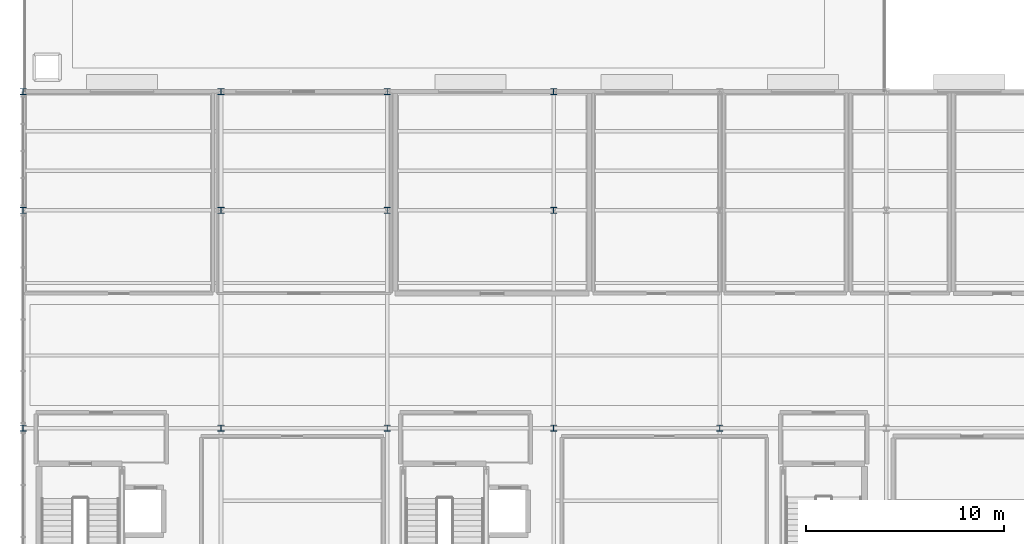
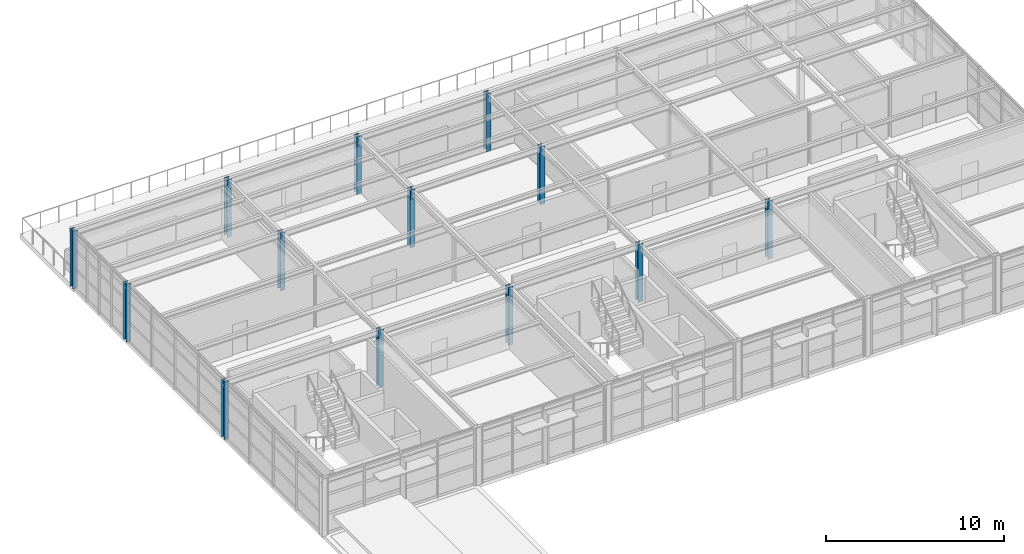
# One storey, part 3 of 21: 13 columns.
"""IFC4 building model written with IfcOpenShell, lengths in metres."""

from ifc_helpers import new_model, si_unit, direction, frame, origin, origin_2d, place, context, subcontext, project, spatial, i_section, extrude, material, material_profile, profile_set, type_object, element, save


model = new_model("IFC4")

# Units and contexts
model_context = context("Model", 3, precision=1e-05, world=origin(), true_north=direction((0.0, 1.0)))
body_context = subcontext(model_context, "Body", "Model", "MODEL_VIEW")
ifc_project = project(units=[si_unit("LENGTHUNIT", "METRE"), si_unit("AREAUNIT", "SQUARE_METRE"), si_unit("VOLUMEUNIT", "CUBIC_METRE"), si_unit("PLANEANGLEUNIT", "RADIAN"), si_unit("MASSUNIT", "GRAM", prefix="KILO")], contexts=[model_context])

# Site, building, storey
site_placement = place(None, origin())
site = spatial("IfcSite", under=ifc_project, at=site_placement, CompositionType="ELEMENT")
building_placement = place(site_placement, origin())
building = spatial("IfcBuilding", under=site, at=building_placement, Name="Sitalva Quay Ferry Terminal", CompositionType="ELEMENT")
storey_placement = place(building_placement, frame((0.0, 0.0, 14.39990234375)))
storey = spatial("IfcBuildingStorey", under=building, at=storey_placement, Name="L04", CompositionType="ELEMENT", Elevation=14.39990234375)

# Columns
ifc_material = material(Name="Structural Steel S355JR", Category="steel")
ifc_material_profile = material_profile(ifc_material, i_section(OverallWidth=0.305908203125, OverallDepth=0.31103515625, WebThickness=0.010986328125, FlangeThickness=0.01708984375, FilletRadius=0.014892578125, at=origin_2d()), Name="W310x107")
ifc_profile_set = profile_set([ifc_material_profile], Name="Structural Steel S355JR")
column_type = type_object("IfcColumnType", Name="Col_W310x107", PredefinedType="COLUMN", material=ifc_profile_set)
for number, where, z_axis, x_axis, name in (
    (1, (74.0, 89.0, 0.0), (0.0, 0.0, 1.0), (1.0, 0.0, 0.0), "L04 column 10K"),
    (2, (84.0, 89.0, 0.0), (0.0, 0.0, 1.0), (1.0, 0.0, 0.0), "L04 column 11K"),
    (3, (92.39990234375, 89.0, 0.0), (0.0, 0.0, 1.0), (1.0, 0.0, 0.0), "L04 column 12K"),
    (4, (100.800048828125, 89.0, 0.0), (0.0, 0.0, 1.0), (1.0, 0.0, 0.0), "L04 column 13K"),
    (5, (109.199951171875, 89.0, 0.0), (0.0, 0.0, 1.0), (1.0, 0.0, 0.0), "L04 column 14K"),
    (6, (74.0, 100.0, 0.0), (0.0, 0.0, 1.0), (1.0, 0.0, 0.0), "L04 column 10L"),
    (7, (84.0, 100.0, 0.0), (0.0, 0.0, 1.0), (1.0, 0.0, 0.0), "L04 column 11L"),
    (8, (92.39990234375, 100.0, 0.0), (0.0, 0.0, 1.0), (1.0, 0.0, 0.0), "L04 column 12L"),
    (9, (100.800048828125, 100.0, 0.0), (0.0, 0.0, 1.0), (1.0, 0.0, 0.0), "L04 column 13L"),
    (10, (74.0, 106.0, 0.0), (0.0, 0.0, 1.0), (1.0, 0.0, 0.0), "L04 column 10M"),
    (11, (84.0, 106.0, 0.0), (0.0, 0.0, 1.0), (1.0, 0.0, 0.0), "L04 column 11M"),
    (12, (92.39990234375, 106.0, 0.0), (0.0, 0.0, 1.0), (1.0, 0.0, 0.0), "L04 column 12M"),
    (13, (100.800048828125, 106.0, 0.0), (0.0, 0.0, 1.0), (1.0, 0.0, 0.0), "L04 column 13M"),
):
    element("IfcColumn", number, at=place(storey_placement, frame(where, z_axis=z_axis, x_axis=x_axis)), inside=storey, type_object=column_type, Name=name, PredefinedType="COLUMN", context=body_context, shape_type="SweptSolid", body=[
        extrude(i_section(OverallWidth=0.305908203125, OverallDepth=0.31103515625, WebThickness=0.010986328125, FlangeThickness=0.01708984375, FilletRadius=0.014892578125, at=origin_2d()), origin(), (0.0, 0.0, 1.0), 3.9501953125),
    ])

save(model, "model.ifc")
